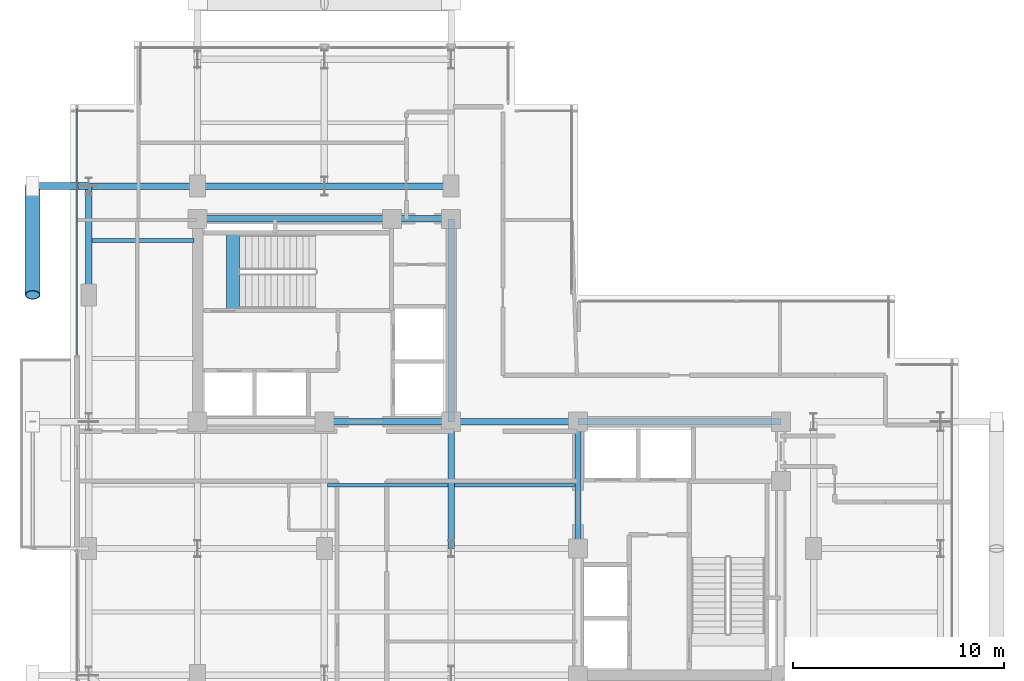
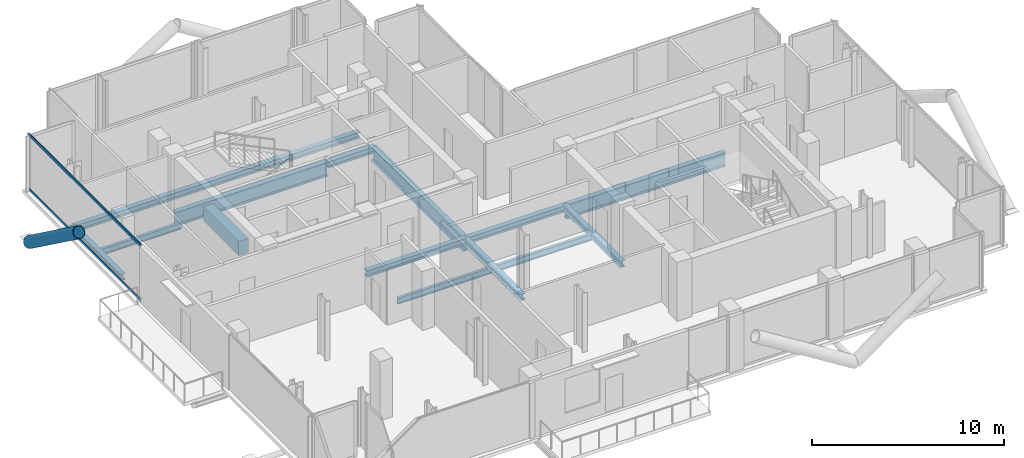
# One storey, part 8 of 21: 16 beams, 4 members, 1 element without a shape of its own.
"""IFC4 building model written with IfcOpenShell, lengths in metres."""

from ifc_helpers import new_model, si_unit, direction, frame, origin, origin_2d, place, context, subcontext, project, spatial, rectangle, hollow_rectangle, hollow_circle, i_section, extrude, material, layer, layer_set, material_profile, profile_set, type_object, element, aggregate, save


model = new_model("IFC4")

# Units and contexts
model_context = context("Model", 3, precision=1e-05, world=origin(), true_north=direction((0.0, 1.0)))
body_context = subcontext(model_context, "Body", "Model", "MODEL_VIEW")
ifc_project = project(units=[si_unit("LENGTHUNIT", "METRE"), si_unit("AREAUNIT", "SQUARE_METRE"), si_unit("VOLUMEUNIT", "CUBIC_METRE"), si_unit("PLANEANGLEUNIT", "RADIAN"), si_unit("MASSUNIT", "GRAM", prefix="KILO"), si_unit("THERMODYNAMICTEMPERATUREUNIT", "KELVIN"), si_unit("POWERUNIT", "WATT")], contexts=[model_context])

# Site, building, storey
site_placement = place(None, origin())
site = spatial("IfcSite", under=ifc_project, at=site_placement, CompositionType="ELEMENT")
building_placement = place(site_placement, origin())
building = spatial("IfcBuilding", under=site, at=building_placement, Name="Svarakhadi Broadcast Tower", CompositionType="ELEMENT")
storey_placement = place(building_placement, frame((0.0, 0.0, 219.89990234375)))
storey = spatial("IfcBuildingStorey", under=building, at=storey_placement, Name="L54", CompositionType="ELEMENT", Elevation=219.89990234375)

# Beams
ifc_material_1 = material(Name="Steel S355J2 (IS 2062 E350C)", Category="steel")
ifc_material_profile_1 = material_profile(ifc_material_1, i_section(OverallWidth=0.179931640625, OverallDepth=0.39990234375, WebThickness=0.008544921875, FlangeThickness=0.013427734375, FilletRadius=0.02099609375, at=origin_2d()), Name="NPB 400x180x66")
ifc_profile_set_1 = profile_set([ifc_material_profile_1], Name="Steel S355J2 (IS 2062 E350C)")
beam_type_1 = type_object("IfcBeamType", Name="Beam_NPB400", PredefinedType="BEAM", material=ifc_profile_set_1)
beam_1_placement = place(storey_placement, frame((1.010009765625, 26.574951171875, -0.409912109375), z_axis=(1.0, 0.0, 0.0), x_axis=(0.0, 1.0, 0.0)))
element("IfcBeam", 1, at=beam_1_placement, inside=storey, type_object=beam_type_1, Name="L54 Secondary Composite Beam SB004", PredefinedType="BEAM", context=body_context, shape_type="SweptSolid", body=[
    extrude(i_section(OverallWidth=0.179931640625, OverallDepth=0.39990234375, WebThickness=0.008544921875, FlangeThickness=0.013427734375, FilletRadius=0.02099609375, at=origin_2d()), origin(), (0.0, 0.0, 1.0), 4.830078125),
])
for number, where, z_axis, x_axis, name in (
    (2, (12.159912109375, 15.0, -0.409912109375), (1.0, 0.0, 0.0), (0.0, 1.0, 0.0), "L54 Secondary Composite Beam SB011"),
    (3, (18.159912109375, 15.0, -0.409912109375), (1.0, 0.0, 0.0), (0.0, 1.0, 0.0), "L54 Secondary Composite Beam SB015"),
):
    element("IfcBeam", number, at=place(storey_placement, frame(where, z_axis=z_axis, x_axis=x_axis)), inside=storey, type_object=beam_type_1, Name=name, PredefinedType="BEAM", context=body_context, shape_type="SweptSolid", body=[
        extrude(i_section(OverallWidth=0.179931640625, OverallDepth=0.39990234375, WebThickness=0.008544921875, FlangeThickness=0.013427734375, FilletRadius=0.02099609375, at=origin_2d()), origin(), (0.0, 0.0, 1.0), 5.68017578125),
    ])

# Curtain wall, members
ifc_material_2 = material(Name="Anodised Bronze Aluminium AA 6063-T6", Category="aluminium")
ifc_layer = layer(ifc_material_2, 0.18994140625)
ifc_layer_set = layer_set([ifc_layer], Name="Anodised Bronze Aluminium AA 6063-T6")
curtain_wall_type = type_object("IfcCurtainWallType", Name="CW_Sys_04", PredefinedType="NOTDEFINED", material=ifc_layer_set)
curtain_wall_placement = place(storey_placement, origin())
curtain_wall = element("IfcCurtainWall", 4, at=curtain_wall_placement, inside=storey, type_object=curtain_wall_type, Name="L54 West Curtain Wall 03", PredefinedType="NOTDEFINED")
ifc_material_profile_2 = material_profile(ifc_material_2, hollow_rectangle(XDim=0.06494140625, YDim=0.175048828125, WallThickness=0.0048828125, at=origin_2d()), Name="ALU TRANSOM 175x65x5")
ifc_profile_set_2 = profile_set([ifc_material_profile_2], Name="Anodised Bronze Aluminium AA 6063-T6")
member_type_1 = type_object("IfcMemberType", Name="CW_Sys_04_Trn", PredefinedType="USERDEFINED", material=ifc_profile_set_2)
member_1_placement = place(storey_placement, frame((0.300048828125, 21.159912109375, 0.03271484375), z_axis=(0.0, 1.0, 0.0), x_axis=(-1.0, 0.0, 0.0)))
member_1 = element("IfcMember", 5, at=member_1_placement, type_object=member_type_1, Name="CW-04 transom 1.1", ObjectType="TRANSOM", PredefinedType="USERDEFINED", context=body_context, shape_type="SweptSolid", body=[
    extrude(hollow_rectangle(XDim=0.06494140625, YDim=0.175048828125, WallThickness=0.0048828125, at=origin_2d()), origin(), (0.0, 0.0, 1.0), 11.68017578125),
])
member_2_placement = place(storey_placement, frame((0.300048828125, 21.159912109375, 3.507568359375), z_axis=(0.0, 1.0, 0.0), x_axis=(-1.0, 0.0, 0.0)))
member_2 = element("IfcMember", 6, at=member_2_placement, type_object=member_type_1, Name="CW-04 transom 1.2", ObjectType="TRANSOM", PredefinedType="USERDEFINED", context=body_context, shape_type="SweptSolid", body=[
    extrude(hollow_rectangle(XDim=0.06494140625, YDim=0.175048828125, WallThickness=0.0048828125, at=origin_2d()), origin(), (0.0, 0.0, 1.0), 11.68017578125),
])
aggregate(curtain_wall, [member_1, member_2])

# Beam
ifc_material_3 = material(Name="Concrete C50/60 (IS 456 M60)", Category="concrete")
ifc_material_profile_3 = material_profile(ifc_material_3, rectangle(XDim=0.60009765625, YDim=0.89990234375, at=origin_2d()), Name="RC 600x900")
ifc_profile_set_3 = profile_set([ifc_material_profile_3], Name="Concrete C50/60 (IS 456 M60)")
beam_type_2 = type_object("IfcBeamType", Name="Coupling_RC600", PredefinedType="USERDEFINED", material=ifc_profile_set_3)
beam_2_placement = place(storey_placement, frame((7.679931640625, 23.260009765625, -0.449951171875), z_axis=(0.0, 1.0, 0.0), x_axis=(-1.0, 0.0, 0.0)))
element("IfcBeam", 7, at=beam_2_placement, inside=storey, type_object=beam_type_2, Name="L54 Stair ST-01 Landing Throat Trimmer Beam CB-01", ObjectType="GIRDER", PredefinedType="USERDEFINED", context=body_context, shape_type="SweptSolid", body=[
    extrude(rectangle(XDim=0.60009765625, YDim=0.89990234375, at=origin_2d()), origin(), (0.0, 0.0, 1.0), 3.679931640625),
])

# Members
ifc_material_4 = material(Name="Steel S460ML (IS 2062 E450BR)", Category="steel")
ifc_material_profile_4 = material_profile(ifc_material_4, hollow_circle(Radius=0.35546875, WallThickness=0.034912109375, at=origin_2d()), Name="CHS 711x35")
ifc_profile_set_4 = profile_set([ifc_material_profile_4], Name="Steel S460ML (IS 2062 E450BR)")
member_type_2 = type_object("IfcMemberType", Name="Exo_Brace_CHS711", PredefinedType="BRACE", material=ifc_profile_set_4)
member_3_placement = place(storey_placement, frame((-1.800048828125, 29.14990234375, -0.371826171875), z_axis=(0.0, -0.808391243061, 0.588645562407), x_axis=(1.0, 0.0, 0.0)))
element("IfcMember", 8, at=member_3_placement, inside=storey, type_object=member_type_2, Name="L54 Exposed Bronze Exoskeleton Diagonal W03", PredefinedType="BRACE", context=body_context, shape_type="SweptSolid", body=[
    extrude(hollow_circle(Radius=0.35546875, WallThickness=0.034912109375, at=origin_2d()), origin(), (0.0, 0.0, 1.0), 6.37060546875),
])
ifc_material_profile_5 = material_profile(ifc_material_4, hollow_circle(Radius=0.161865234375, WallThickness=0.01611328125, at=origin_2d()), Name="CHS 323.9x16")
ifc_profile_set_5 = profile_set([ifc_material_profile_5], Name="Steel S460ML (IS 2062 E450BR)")
member_type_3 = type_object("IfcMemberType", Name="Exo_Radial_Strut_Z2", PredefinedType="STRUT", material=ifc_profile_set_5)
member_4_placement = place(storey_placement, frame((-1.800048828125, 29.14990234375, -0.371826171875), z_axis=(1.0, 0.0, 0.0), x_axis=(0.0, 1.0, 0.0)))
element("IfcMember", 9, at=member_4_placement, inside=storey, type_object=member_type_3, Name="L54 Exoskeleton Radial Tie Strut W06", PredefinedType="STRUT", context=body_context, shape_type="SweptSolid", body=[
    extrude(hollow_circle(Radius=0.161865234375, WallThickness=0.01611328125, at=origin_2d()), origin(), (0.0, 0.0, 1.0), 2.650146484375),
])

# Beams
ifc_material_profile_6 = material_profile(ifc_material_1, i_section(OverallWidth=0.300048828125, OverallDepth=0.39990234375, WebThickness=0.013427734375, FlangeThickness=0.02392578125, FilletRadius=0.027099609375, at=origin_2d()), Name="WPB 400x300x155")
ifc_profile_set_6 = profile_set([ifc_material_profile_6], Name="Steel S355J2 (IS 2062 E350C)")
beam_type_3 = type_object("IfcBeamType", Name="Girder_WPB400", PredefinedType="USERDEFINED", material=ifc_profile_set_6)
for number, where, z_axis, x_axis, name in (
    (10, (12.0, 18.0, -0.409912109375), (1.0, 0.0, 0.0), (0.0, 1.0, 0.0), "L54 Primary E-W Girder G022"),
    (11, (18.0, 18.0, -0.409912109375), (1.0, 0.0, 0.0), (0.0, 1.0, 0.0), "L54 Primary E-W Girder G023"),
):
    element("IfcBeam", number, at=place(storey_placement, frame(where, z_axis=z_axis, x_axis=x_axis)), inside=storey, type_object=beam_type_3, Name=name, ObjectType="GIRDER", PredefinedType="USERDEFINED", context=body_context, shape_type="SweptSolid", body=[
        extrude(i_section(OverallWidth=0.300048828125, OverallDepth=0.39990234375, WebThickness=0.013427734375, FlangeThickness=0.02392578125, FilletRadius=0.027099609375, at=origin_2d()), origin(), (0.0, 0.0, 1.0), 6.0),
    ])
beam_3_placement = place(storey_placement, frame((15.199951171875, 27.60009765625, -0.409912109375), z_axis=(1.0, 0.0, 0.0), x_axis=(0.0, 1.0, 0.0)))
element("IfcBeam", 12, at=beam_3_placement, inside=storey, type_object=beam_type_3, Name="L54 Primary E-W Girder G027", ObjectType="GIRDER", PredefinedType="USERDEFINED", context=body_context, shape_type="SweptSolid", body=[
    extrude(i_section(OverallWidth=0.300048828125, OverallDepth=0.39990234375, WebThickness=0.013427734375, FlangeThickness=0.02392578125, FilletRadius=0.027099609375, at=origin_2d()), origin(), (0.0, 0.0, 1.0), 2.800048828125),
])
beam_4_placement = place(storey_placement, frame((0.85009765625, 29.14990234375, -0.409912109375), z_axis=(1.0, 0.0, 0.0), x_axis=(0.0, 1.0, 0.0)))
element("IfcBeam", 13, at=beam_4_placement, inside=storey, type_object=beam_type_3, Name="L54 Primary E-W Girder G028", ObjectType="GIRDER", PredefinedType="USERDEFINED", context=body_context, shape_type="SweptSolid", body=[
    extrude(i_section(OverallWidth=0.300048828125, OverallDepth=0.39990234375, WebThickness=0.013427734375, FlangeThickness=0.02392578125, FilletRadius=0.027099609375, at=origin_2d()), origin(), (0.0, 0.0, 1.0), 5.14990234375),
])
for number, where, z_axis, x_axis, name in (
    (14, (6.0, 29.14990234375, -0.409912109375), (1.0, 0.0, 0.0), (0.0, 1.0, 0.0), "L54 Primary E-W Girder G029"),
    (15, (12.0, 29.14990234375, -0.409912109375), (1.0, 0.0, 0.0), (0.0, 1.0, 0.0), "L54 Primary E-W Girder G030"),
):
    element("IfcBeam", number, at=place(storey_placement, frame(where, z_axis=z_axis, x_axis=x_axis)), inside=storey, type_object=beam_type_3, Name=name, ObjectType="GIRDER", PredefinedType="USERDEFINED", context=body_context, shape_type="SweptSolid", body=[
        extrude(i_section(OverallWidth=0.300048828125, OverallDepth=0.39990234375, WebThickness=0.013427734375, FlangeThickness=0.02392578125, FilletRadius=0.027099609375, at=origin_2d()), origin(), (0.0, 0.0, 1.0), 6.0),
    ])
beam_5_placement = place(storey_placement, frame((0.85009765625, 24.0, -0.409912109375), z_axis=(0.0, 1.0, 0.0), x_axis=(-1.0, 0.0, 0.0)))
element("IfcBeam", 16, at=beam_5_placement, inside=storey, type_object=beam_type_3, Name="L54 Primary N-S Girder G036", ObjectType="GIRDER", PredefinedType="USERDEFINED", context=body_context, shape_type="SweptSolid", body=[
    extrude(i_section(OverallWidth=0.300048828125, OverallDepth=0.39990234375, WebThickness=0.013427734375, FlangeThickness=0.02392578125, FilletRadius=0.027099609375, at=origin_2d()), origin(), (0.0, 0.0, 1.0), 5.14990234375),
])
for number, where, z_axis, x_axis, name in (
    (17, (18.0, 12.0, -0.409912109375), (0.0, 1.0, 0.0), (-1.0, 0.0, 0.0), "L54 Primary N-S Girder G048"),
    (18, (24.0, 12.0, -0.409912109375), (0.0, 1.0, 0.0), (-1.0, 0.0, 0.0), "L54 Primary N-S Girder G053"),
):
    element("IfcBeam", number, at=place(storey_placement, frame(where, z_axis=z_axis, x_axis=x_axis)), inside=storey, type_object=beam_type_3, Name=name, ObjectType="GIRDER", PredefinedType="USERDEFINED", context=body_context, shape_type="SweptSolid", body=[
        extrude(i_section(OverallWidth=0.300048828125, OverallDepth=0.39990234375, WebThickness=0.013427734375, FlangeThickness=0.02392578125, FilletRadius=0.027099609375, at=origin_2d()), origin(), (0.0, 0.0, 1.0), 6.0),
    ])
ifc_material_profile_7 = material_profile(ifc_material_4, i_section(OverallWidth=0.300048828125, OverallDepth=0.89990234375, WebThickness=0.0185546875, FlangeThickness=0.034912109375, FilletRadius=0.030029296875, at=origin_2d()), Name="WPB 900x300x291")
ifc_profile_set_7 = profile_set([ifc_material_profile_7], Name="Steel S460ML (IS 2062 E450BR)")
beam_type_4 = type_object("IfcBeamType", Name="Girder_WPB900", PredefinedType="USERDEFINED", material=ifc_profile_set_7)
beam_6_placement = place(storey_placement, frame((24.0, 18.0, -0.659912109375), z_axis=(1.0, 0.0, 0.0), x_axis=(0.0, 1.0, 0.0)))
element("IfcBeam", 19, at=beam_6_placement, inside=storey, type_object=beam_type_4, Name="L54 Primary E-W Girder G024", ObjectType="GIRDER", PredefinedType="USERDEFINED", context=body_context, shape_type="SweptSolid", body=[
    extrude(i_section(OverallWidth=0.300048828125, OverallDepth=0.89990234375, WebThickness=0.0185546875, FlangeThickness=0.034912109375, FilletRadius=0.030029296875, at=origin_2d()), origin(), (0.0, 0.0, 1.0), 9.60009765625),
])
beam_7_placement = place(storey_placement, frame((6.0, 27.60009765625, -0.659912109375), z_axis=(1.0, 0.0, 0.0), x_axis=(0.0, 1.0, 0.0)))
element("IfcBeam", 20, at=beam_7_placement, inside=storey, type_object=beam_type_4, Name="L54 Primary E-W Girder G026", ObjectType="GIRDER", PredefinedType="USERDEFINED", context=body_context, shape_type="SweptSolid", body=[
    extrude(i_section(OverallWidth=0.300048828125, OverallDepth=0.89990234375, WebThickness=0.0185546875, FlangeThickness=0.034912109375, FilletRadius=0.030029296875, at=origin_2d()), origin(), (0.0, 0.0, 1.0), 9.199951171875),
])
beam_8_placement = place(storey_placement, frame((18.0, 18.0, -0.659912109375), z_axis=(0.0, 1.0, 0.0), x_axis=(-1.0, 0.0, 0.0)))
element("IfcBeam", 21, at=beam_8_placement, inside=storey, type_object=beam_type_4, Name="L54 Primary N-S Girder G049", ObjectType="GIRDER", PredefinedType="USERDEFINED", context=body_context, shape_type="SweptSolid", body=[
    extrude(i_section(OverallWidth=0.300048828125, OverallDepth=0.89990234375, WebThickness=0.0185546875, FlangeThickness=0.034912109375, FilletRadius=0.030029296875, at=origin_2d()), origin(), (0.0, 0.0, 1.0), 9.60009765625),
])

save(model, "model.ifc")
